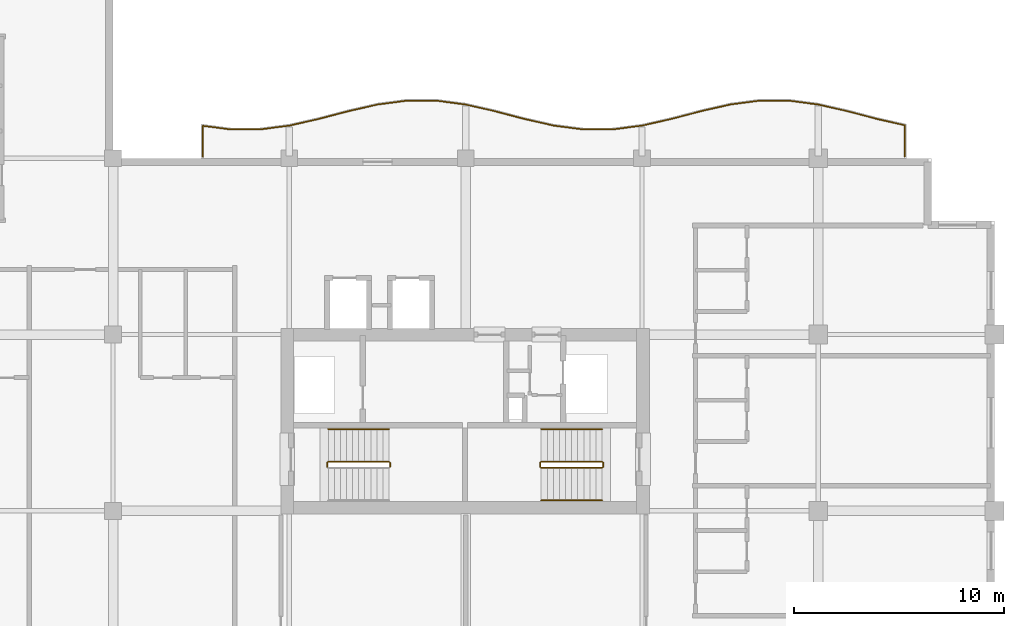
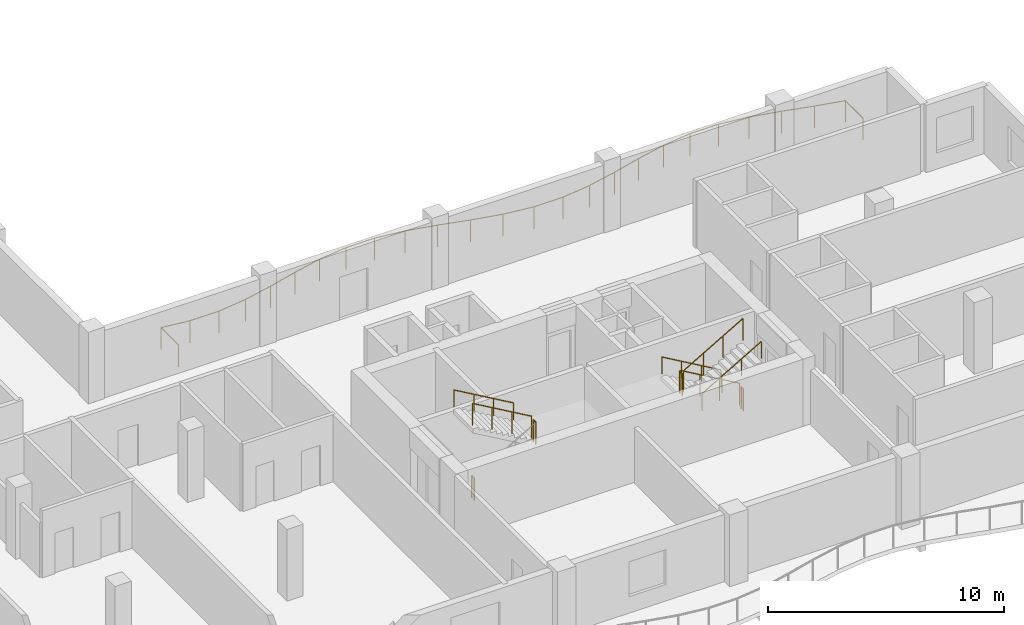
# One storey, part 11 of 12: 11 railings.
"""IFC4 building model written with IfcOpenShell, lengths in metres."""

from ifc_helpers import new_model, si_unit, direction, frame, origin, origin_2d, place, context, subcontext, project, spatial, circle, extrude, material, type_object, element, save


model = new_model("IFC4")

# Units and contexts
model_context = context("Model", 3, precision=1e-05, world=origin(), true_north=direction((0.0, 1.0)))
body_context = subcontext(model_context, "Body", "Model", "MODEL_VIEW")
ifc_project = project(units=[si_unit("LENGTHUNIT", "METRE"), si_unit("AREAUNIT", "SQUARE_METRE"), si_unit("VOLUMEUNIT", "CUBIC_METRE"), si_unit("PLANEANGLEUNIT", "RADIAN"), si_unit("MASSUNIT", "GRAM", prefix="KILO")], contexts=[model_context])

# Site, building, storey
site_placement = place(None, origin())
site = spatial("IfcSite", under=ifc_project, at=site_placement, CompositionType="ELEMENT")
building_placement = place(site_placement, origin())
building = spatial("IfcBuilding", under=site, at=building_placement, Name="Koriwani Terraces Tower", CompositionType="ELEMENT")
storey_placement = place(building_placement, frame((0.0, 0.0, 241.60009765625)))
storey = spatial("IfcBuildingStorey", under=building, at=storey_placement, Name="L59", CompositionType="ELEMENT", Elevation=241.60009765625)

# Railings
ifc_material = material(Name="Steel ASTM A572 Grade 50", Category="steel")
railing_type_1 = type_object("IfcRailingType", Name="GUARD_BALUSTRADE_1150", PredefinedType="BALUSTRADE", material=ifc_material)
railing_1_placement = place(storey_placement, frame((71.320068359375, 33.679931640625, 0.0)))
element("IfcRailing", 1, at=railing_1_placement, inside=storey, type_object=railing_type_1, Name="L59 Balcony Perimeter Safety Balustrade (NE)", PredefinedType="BALUSTRADE", context=body_context, shape_type="SweptSolid", body=[
    extrude(circle(Radius=0.02392578125, at=origin_2d()), frame((0.0, 0.0, 1.1259765625), z_axis=(0.0, 1.0, 0.0), x_axis=(-1.0, 0.0, 0.0)), (0.0, 0.0, 1.0), 1.494140625),
    extrude(circle(Radius=0.02392578125, at=origin_2d()), frame((0.0, 1.494140625, 1.1259765625), z_axis=(-0.97511713615, 0.221690258665, 0.0), x_axis=(-0.221690258665, -0.97511713615, 0.0)), (0.0, 0.0, 1.0), 1.373291015625),
    extrude(circle(Radius=0.02392578125, at=origin_2d()), frame((-1.339111328125, 1.798583984375, 1.1259765625), z_axis=(-0.967196782226, 0.254028314271, 0.0), x_axis=(-0.254028314271, -0.967196782226, 0.0)), (0.0, 0.0, 1.0), 1.447265625),
    extrude(circle(Radius=0.02392578125, at=origin_2d()), frame((-2.739013671875, 2.166259765625, 1.1259765625), z_axis=(-0.975164692652, 0.221480974814, 0.0), x_axis=(-0.221480974814, -0.975164692652, 0.0)), (0.0, 0.0, 1.0), 1.430908203125),
    extrude(circle(Radius=0.02392578125, at=origin_2d()), frame((-4.13427734375, 2.483154296875, 1.1259765625), z_axis=(-0.991490391866, 0.130179886452, 0.0), x_axis=(-0.130179886452, -0.991490391866, 0.0)), (0.0, 0.0, 1.0), 1.40283203125),
    extrude(circle(Radius=0.02392578125, at=origin_2d()), frame((-5.525146484375, 2.665771484375, 1.1259765625), z_axis=(-1.0, 0.0, 0.0), x_axis=(0.0, -1.0, 0.0)), (0.0, 0.0, 1.0), 1.3896484375),
    extrude(circle(Radius=0.02392578125, at=origin_2d()), frame((-6.914794921875, 2.665771484375, 1.1259765625), z_axis=(-0.991493340479, -0.130157426935, 0.0), x_axis=(0.130157426935, -0.991493340479, 0.0)), (0.0, 0.0, 1.0), 1.403076171875),
    extrude(circle(Radius=0.02392578125, at=origin_2d()), frame((-8.305908203125, 2.483154296875, 1.1259765625), z_axis=(-0.975164692652, -0.221480974814, 0.0), x_axis=(0.221480974814, -0.975164692652, 0.0)), (0.0, 0.0, 1.0), 1.430908203125),
    extrude(circle(Radius=0.02392578125, at=origin_2d()), frame((-9.701171875, 2.166259765625, 1.1259765625), z_axis=(-0.967196782226, -0.254028314271, 0.0), x_axis=(0.254028314271, -0.967196782226, 0.0)), (0.0, 0.0, 1.0), 1.447265625),
    extrude(circle(Radius=0.02392578125, at=origin_2d()), frame((-11.10107421875, 1.798583984375, 1.1259765625), z_axis=(-0.975122866469, -0.221665052023, 0.0), x_axis=(0.221665052023, -0.975122866469, 0.0)), (0.0, 0.0, 1.0), 1.440673828125),
    extrude(circle(Radius=0.02392578125, at=origin_2d()), frame((-12.505859375, 1.479248046875, 1.1259765625), z_axis=(-0.991528403605, -0.12989004906, 0.0), x_axis=(0.12989004906, -0.991528403605, 0.0)), (0.0, 0.0, 1.0), 1.4208984375),
    extrude(circle(Radius=0.02392578125, at=origin_2d()), frame((-13.914794921875, 1.294677734375, 1.1259765625), z_axis=(-1.0, 0.0, 0.0), x_axis=(0.0, -1.0, 0.0)), (0.0, 0.0, 1.0), 1.410400390625),
    extrude(circle(Radius=0.02392578125, at=origin_2d()), frame((-15.3251953125, 1.294677734375, 1.1259765625), z_axis=(-0.991528403605, 0.12989004906, 0.0), x_axis=(-0.12989004906, -0.991528403605, 0.0)), (0.0, 0.0, 1.0), 1.4208984375),
    extrude(circle(Radius=0.02392578125, at=origin_2d()), frame((-16.734130859375, 1.479248046875, 1.1259765625), z_axis=(-0.975131191317, 0.221628427149, 0.0), x_axis=(-0.221628427149, -0.975131191317, 0.0)), (0.0, 0.0, 1.0), 1.44091796875),
    extrude(circle(Radius=0.02392578125, at=origin_2d()), frame((-18.13916015625, 1.798583984375, 1.1259765625), z_axis=(-0.967196782226, 0.254028314271, 0.0), x_axis=(-0.254028314271, -0.967196782226, 0.0)), (0.0, 0.0, 1.0), 1.447265625),
    extrude(circle(Radius=0.02392578125, at=origin_2d()), frame((-19.5390625, 2.166259765625, 1.1259765625), z_axis=(-0.975156320387, 0.221517834068, 0.0), x_axis=(-0.221517834068, -0.975156320387, 0.0)), (0.0, 0.0, 1.0), 1.4306640625),
    extrude(circle(Radius=0.02392578125, at=origin_2d()), frame((-20.93408203125, 2.483154296875, 1.1259765625), z_axis=(-0.991493340479, 0.130157426935, 0.0), x_axis=(-0.130157426935, -0.991493340479, 0.0)), (0.0, 0.0, 1.0), 1.403076171875),
    extrude(circle(Radius=0.02392578125, at=origin_2d()), frame((-22.3251953125, 2.665771484375, 1.1259765625), z_axis=(-1.0, 0.0, 0.0), x_axis=(0.0, -1.0, 0.0)), (0.0, 0.0, 1.0), 1.3896484375),
    extrude(circle(Radius=0.02392578125, at=origin_2d()), frame((-23.71484375, 2.665771484375, 1.1259765625), z_axis=(-0.991493340479, -0.130157426935, 0.0), x_axis=(0.130157426935, -0.991493340479, 0.0)), (0.0, 0.0, 1.0), 1.403076171875),
    extrude(circle(Radius=0.02392578125, at=origin_2d()), frame((-25.10595703125, 2.483154296875, 1.1259765625), z_axis=(-0.975156320387, -0.221517834068, 0.0), x_axis=(0.221517834068, -0.975156320387, 0.0)), (0.0, 0.0, 1.0), 1.4306640625),
    extrude(circle(Radius=0.02392578125, at=origin_2d()), frame((-26.5009765625, 2.166259765625, 1.1259765625), z_axis=(-0.967207664387, -0.253986877518, 0.0), x_axis=(0.253986877518, -0.967207664387, 0.0)), (0.0, 0.0, 1.0), 1.447509765625),
    extrude(circle(Radius=0.02392578125, at=origin_2d()), frame((-27.901123046875, 1.798583984375, 1.1259765625), z_axis=(-0.975122866469, -0.221665052023, 0.0), x_axis=(0.221665052023, -0.975122866469, 0.0)), (0.0, 0.0, 1.0), 1.440673828125),
    extrude(circle(Radius=0.02392578125, at=origin_2d()), frame((-29.305908203125, 1.479248046875, 1.1259765625), z_axis=(-0.991528403605, -0.12989004906, 0.0), x_axis=(0.12989004906, -0.991528403605, 0.0)), (0.0, 0.0, 1.0), 1.4208984375),
    extrude(circle(Radius=0.02392578125, at=origin_2d()), frame((-30.71484375, 1.294677734375, 1.1259765625), z_axis=(-1.0, 0.0, 0.0), x_axis=(0.0, -1.0, 0.0)), (0.0, 0.0, 1.0), 1.410400390625),
    extrude(circle(Radius=0.02392578125, at=origin_2d()), frame((-32.125244140625, 1.294677734375, 1.1259765625), z_axis=(-0.991541795882, 0.129787776847, 0.0), x_axis=(-0.129787776847, -0.991541795882, 0.0)), (0.0, 0.0, 1.0), 1.326171875),
    extrude(circle(Radius=0.02392578125, at=origin_2d()), frame((-33.440185546875, 1.466796875, 1.1259765625), z_axis=(0.0, -1.0, 0.0), x_axis=(1.0, 0.0, 0.0)), (0.0, 0.0, 1.0), 1.466796875),
    extrude(circle(Radius=0.02099609375, at=origin_2d()), origin(), (0.0, 0.0, 1.0), 1.101806640625),
    extrude(circle(Radius=0.02099609375, at=origin_2d()), frame((0.0, 1.494140625, 0.0)), (0.0, 0.0, 1.0), 1.101806640625),
    extrude(circle(Radius=0.02099609375, at=origin_2d()), frame((-1.339111328125, 1.798583984375, 0.0)), (0.0, 0.0, 1.0), 1.101806640625),
    extrude(circle(Radius=0.02099609375, at=origin_2d()), frame((-2.739013671875, 2.166259765625, 0.0)), (0.0, 0.0, 1.0), 1.101806640625),
    extrude(circle(Radius=0.02099609375, at=origin_2d()), frame((-4.13427734375, 2.483154296875, 0.0)), (0.0, 0.0, 1.0), 1.101806640625),
    extrude(circle(Radius=0.02099609375, at=origin_2d()), frame((-5.525146484375, 2.665771484375, 0.0)), (0.0, 0.0, 1.0), 1.101806640625),
    extrude(circle(Radius=0.02099609375, at=origin_2d()), frame((-6.914794921875, 2.665771484375, 0.0)), (0.0, 0.0, 1.0), 1.101806640625),
    extrude(circle(Radius=0.02099609375, at=origin_2d()), frame((-8.305908203125, 2.483154296875, 0.0)), (0.0, 0.0, 1.0), 1.101806640625),
    extrude(circle(Radius=0.02099609375, at=origin_2d()), frame((-9.701171875, 2.166259765625, 0.0)), (0.0, 0.0, 1.0), 1.101806640625),
    extrude(circle(Radius=0.02099609375, at=origin_2d()), frame((-11.10107421875, 1.798583984375, 0.0)), (0.0, 0.0, 1.0), 1.101806640625),
    extrude(circle(Radius=0.02099609375, at=origin_2d()), frame((-12.505859375, 1.479248046875, 0.0)), (0.0, 0.0, 1.0), 1.101806640625),
    extrude(circle(Radius=0.02099609375, at=origin_2d()), frame((-13.914794921875, 1.294677734375, 0.0)), (0.0, 0.0, 1.0), 1.101806640625),
    extrude(circle(Radius=0.02099609375, at=origin_2d()), frame((-15.3251953125, 1.294677734375, 0.0)), (0.0, 0.0, 1.0), 1.101806640625),
    extrude(circle(Radius=0.02099609375, at=origin_2d()), frame((-16.734130859375, 1.479248046875, 0.0)), (0.0, 0.0, 1.0), 1.101806640625),
    extrude(circle(Radius=0.02099609375, at=origin_2d()), frame((-18.13916015625, 1.798583984375, 0.0)), (0.0, 0.0, 1.0), 1.101806640625),
    extrude(circle(Radius=0.02099609375, at=origin_2d()), frame((-19.5390625, 2.166259765625, 0.0)), (0.0, 0.0, 1.0), 1.101806640625),
    extrude(circle(Radius=0.02099609375, at=origin_2d()), frame((-20.93408203125, 2.483154296875, 0.0)), (0.0, 0.0, 1.0), 1.101806640625),
    extrude(circle(Radius=0.02099609375, at=origin_2d()), frame((-22.3251953125, 2.665771484375, 0.0)), (0.0, 0.0, 1.0), 1.101806640625),
    extrude(circle(Radius=0.02099609375, at=origin_2d()), frame((-23.71484375, 2.665771484375, 0.0)), (0.0, 0.0, 1.0), 1.101806640625),
    extrude(circle(Radius=0.02099609375, at=origin_2d()), frame((-25.10595703125, 2.483154296875, 0.0)), (0.0, 0.0, 1.0), 1.101806640625),
    extrude(circle(Radius=0.02099609375, at=origin_2d()), frame((-26.5009765625, 2.166259765625, 0.0)), (0.0, 0.0, 1.0), 1.101806640625),
    extrude(circle(Radius=0.02099609375, at=origin_2d()), frame((-27.901123046875, 1.798583984375, 0.0)), (0.0, 0.0, 1.0), 1.101806640625),
    extrude(circle(Radius=0.02099609375, at=origin_2d()), frame((-29.305908203125, 1.479248046875, 0.0)), (0.0, 0.0, 1.0), 1.101806640625),
    extrude(circle(Radius=0.02099609375, at=origin_2d()), frame((-30.71484375, 1.294677734375, 0.0)), (0.0, 0.0, 1.0), 1.101806640625),
    extrude(circle(Radius=0.02099609375, at=origin_2d()), frame((-32.125244140625, 1.294677734375, 0.0)), (0.0, 0.0, 1.0), 1.101806640625),
    extrude(circle(Radius=0.02099609375, at=origin_2d()), frame((-33.440185546875, 1.466796875, 0.0)), (0.0, 0.0, 1.0), 1.101806640625),
    extrude(circle(Radius=0.02099609375, at=origin_2d()), frame((-33.440185546875, 0.0, 0.0)), (0.0, 0.0, 1.0), 1.101806640625),
])
railing_type_2 = type_object("IfcRailingType", Name="GUARD_STAIR_WELL_1120", PredefinedType="GUARDRAIL", material=ifc_material)
railing_2_placement = place(storey_placement, frame((46.800048828125, 18.89990234375, 1.849853515625)))
element("IfcRailing", 2, at=railing_2_placement, inside=storey, type_object=railing_type_2, Name="L59 ST-E1 stair guard 2", PredefinedType="GUARDRAIL", context=body_context, shape_type="SweptSolid", body=[
    extrude(circle(Radius=0.02392578125, at=origin_2d()), frame((0.0, 0.0, 1.1259765625), z_axis=(0.0, 1.0, 0.0), x_axis=(-1.0, 0.0, 0.0)), (0.0, 0.0, 1.0), 0.2001953125),
    extrude(circle(Radius=0.02099609375, at=origin_2d()), origin(), (0.0, 0.0, 1.0), 1.101806640625),
    extrude(circle(Radius=0.02099609375, at=origin_2d()), frame((0.0, 0.2001953125, 0.0)), (0.0, 0.0, 1.0), 1.101806640625),
])
railing_3_placement = place(storey_placement, frame((46.75, 19.14990234375, 2.01806640625)))
element("IfcRailing", 3, at=railing_3_placement, inside=storey, type_object=railing_type_2, Name="L59 ST-E1 stair guard 3", PredefinedType="GUARDRAIL", context=body_context, shape_type="SweptSolid", body=[
    extrude(circle(Radius=0.02392578125, at=origin_2d()), frame((0.0, 0.0, 1.1259765625), z_axis=(-0.865038774852, 0.0, 0.501705010941), x_axis=(0.0, -1.0, 0.0)), (0.0, 0.0, 1.0), 3.352294921875),
    extrude(circle(Radius=0.02099609375, at=origin_2d()), origin(), (0.0, 0.0, 1.0), 1.101806640625),
    extrude(circle(Radius=0.02099609375, at=origin_2d()), frame((-0.966552734375, 0.0, 0.560546875)), (0.0, 0.0, 1.0), 1.101806640625),
    extrude(circle(Radius=0.02099609375, at=origin_2d()), frame((-1.933349609375, 0.0, 1.121337890625)), (0.0, 0.0, 1.0), 1.101806640625),
    extrude(circle(Radius=0.02099609375, at=origin_2d()), frame((-2.89990234375, 0.0, 1.681884765625)), (0.0, 0.0, 1.0), 1.101806640625),
])
railing_4_placement = place(storey_placement, frame((43.800048828125, 18.89990234375, 0.0)))
element("IfcRailing", 4, at=railing_4_placement, inside=storey, type_object=railing_type_2, Name="L59 ST-E1 stair guard 4", PredefinedType="GUARDRAIL", context=body_context, shape_type="SweptSolid", body=[
    extrude(circle(Radius=0.02392578125, at=origin_2d()), frame((0.0, 0.0, 1.1259765625), z_axis=(0.0, 1.0, 0.0), x_axis=(-1.0, 0.0, 0.0)), (0.0, 0.0, 1.0), 0.2001953125),
    extrude(circle(Radius=0.02099609375, at=origin_2d()), origin(), (0.0, 0.0, 1.0), 1.101806640625),
    extrude(circle(Radius=0.02099609375, at=origin_2d()), frame((0.0, 0.2001953125, 0.0)), (0.0, 0.0, 1.0), 1.101806640625),
])
railing_5_placement = place(storey_placement, frame((56.89990234375, 19.14990234375, 0.16796875)))
element("IfcRailing", 5, at=railing_5_placement, inside=storey, type_object=railing_type_2, Name="L59 ST-E2 stair guard 1", PredefinedType="GUARDRAIL", context=body_context, shape_type="SweptSolid", body=[
    extrude(circle(Radius=0.02392578125, at=origin_2d()), frame((0.0, 0.0, 1.1259765625), z_axis=(-0.865038774852, 0.0, 0.501705010941), x_axis=(0.0, -1.0, 0.0)), (0.0, 0.0, 1.0), 3.352294921875),
    extrude(circle(Radius=0.02099609375, at=origin_2d()), origin(), (0.0, 0.0, 1.0), 1.101806640625),
    extrude(circle(Radius=0.02099609375, at=origin_2d()), frame((-0.966552734375, 0.0, 0.560546875)), (0.0, 0.0, 1.0), 1.101806640625),
    extrude(circle(Radius=0.02099609375, at=origin_2d()), frame((-1.933349609375, 0.0, 1.121337890625)), (0.0, 0.0, 1.0), 1.101806640625),
    extrude(circle(Radius=0.02099609375, at=origin_2d()), frame((-2.89990234375, 0.0, 1.681884765625)), (0.0, 0.0, 1.0), 1.101806640625),
])
railing_6_placement = place(storey_placement, frame((53.949951171875, 19.10009765625, 1.849853515625)))
element("IfcRailing", 6, at=railing_6_placement, inside=storey, type_object=railing_type_2, Name="L59 ST-E2 stair guard 2", PredefinedType="GUARDRAIL", context=body_context, shape_type="SweptSolid", body=[
    extrude(circle(Radius=0.02392578125, at=origin_2d()), frame((0.0, 0.0, 1.1259765625), z_axis=(0.0, -1.0, 0.0), x_axis=(1.0, 0.0, 0.0)), (0.0, 0.0, 1.0), 0.2001953125),
    extrude(circle(Radius=0.02099609375, at=origin_2d()), origin(), (0.0, 0.0, 1.0), 1.101806640625),
    extrude(circle(Radius=0.02099609375, at=origin_2d()), frame((0.0, -0.2001953125, 0.0)), (0.0, 0.0, 1.0), 1.101806640625),
])
railing_7_placement = place(storey_placement, frame((54.0, 18.85009765625, 2.01806640625)))
element("IfcRailing", 7, at=railing_7_placement, inside=storey, type_object=railing_type_2, Name="L59 ST-E2 stair guard 3", PredefinedType="GUARDRAIL", context=body_context, shape_type="SweptSolid", body=[
    extrude(circle(Radius=0.02392578125, at=origin_2d()), frame((0.0, 0.0, 1.1259765625), z_axis=(0.865038774852, 0.0, 0.501705010941), x_axis=(0.0, 1.0, 0.0)), (0.0, 0.0, 1.0), 3.352294921875),
    extrude(circle(Radius=0.02099609375, at=origin_2d()), origin(), (0.0, 0.0, 1.0), 1.101806640625),
    extrude(circle(Radius=0.02099609375, at=origin_2d()), frame((0.966552734375, 0.0, 0.560546875)), (0.0, 0.0, 1.0), 1.101806640625),
    extrude(circle(Radius=0.02099609375, at=origin_2d()), frame((1.933349609375, 0.0, 1.121337890625)), (0.0, 0.0, 1.0), 1.101806640625),
    extrude(circle(Radius=0.02099609375, at=origin_2d()), frame((2.89990234375, 0.0, 1.681884765625)), (0.0, 0.0, 1.0), 1.101806640625),
])
railing_8_placement = place(storey_placement, frame((56.949951171875, 19.10009765625, 0.0)))
element("IfcRailing", 8, at=railing_8_placement, inside=storey, type_object=railing_type_2, Name="L59 ST-E2 stair guard 4", PredefinedType="GUARDRAIL", context=body_context, shape_type="SweptSolid", body=[
    extrude(circle(Radius=0.02392578125, at=origin_2d()), frame((0.0, 0.0, 1.1259765625), z_axis=(0.0, -1.0, 0.0), x_axis=(1.0, 0.0, 0.0)), (0.0, 0.0, 1.0), 0.2001953125),
    extrude(circle(Radius=0.02099609375, at=origin_2d()), origin(), (0.0, 0.0, 1.0), 1.101806640625),
    extrude(circle(Radius=0.02099609375, at=origin_2d()), frame((0.0, -0.2001953125, 0.0)), (0.0, 0.0, 1.0), 1.101806640625),
])
railing_type_3 = type_object("IfcRailingType", Name="HANDRAIL_STAIR_920", PredefinedType="HANDRAIL", material=ifc_material)
for number, where, name in (
    (9, (46.75, 20.699951171875, 2.01806640625), "L59 ST-E1 stair handrail 2"),
    (10, (56.89990234375, 20.699951171875, 0.16796875), "L59 ST-E2 stair handrail 1"),
):
    element("IfcRailing", number, at=place(storey_placement, frame(where)), inside=storey, type_object=railing_type_3, Name=name, PredefinedType="HANDRAIL", context=body_context, shape_type="SweptSolid", body=[
        extrude(circle(Radius=0.02392578125, at=origin_2d()), frame((0.0, 0.0, 0.8759765625), z_axis=(-0.865038774852, 0.0, 0.501705010941), x_axis=(0.0, -1.0, 0.0)), (0.0, 0.0, 1.0), 3.352294921875),
        extrude(circle(Radius=0.02099609375, at=origin_2d()), origin(), (0.0, 0.0, 1.0), 0.851806640625),
        extrude(circle(Radius=0.02099609375, at=origin_2d()), frame((-0.966552734375, 0.0, 0.560546875)), (0.0, 0.0, 1.0), 0.851806640625),
        extrude(circle(Radius=0.02099609375, at=origin_2d()), frame((-1.933349609375, 0.0, 1.121337890625)), (0.0, 0.0, 1.0), 0.851806640625),
        extrude(circle(Radius=0.02099609375, at=origin_2d()), frame((-2.89990234375, 0.0, 1.681884765625)), (0.0, 0.0, 1.0), 0.851806640625),
    ])
railing_9_placement = place(storey_placement, frame((54.0, 17.300048828125, 2.01806640625)))
element("IfcRailing", 11, at=railing_9_placement, inside=storey, type_object=railing_type_3, Name="L59 ST-E2 stair handrail 2", PredefinedType="HANDRAIL", context=body_context, shape_type="SweptSolid", body=[
    extrude(circle(Radius=0.02392578125, at=origin_2d()), frame((0.0, 0.0, 0.8759765625), z_axis=(0.865038774852, 0.0, 0.501705010941), x_axis=(0.0, 1.0, 0.0)), (0.0, 0.0, 1.0), 3.352294921875),
    extrude(circle(Radius=0.02099609375, at=origin_2d()), origin(), (0.0, 0.0, 1.0), 0.851806640625),
    extrude(circle(Radius=0.02099609375, at=origin_2d()), frame((0.966552734375, 0.0, 0.560546875)), (0.0, 0.0, 1.0), 0.851806640625),
    extrude(circle(Radius=0.02099609375, at=origin_2d()), frame((1.933349609375, 0.0, 1.121337890625)), (0.0, 0.0, 1.0), 0.851806640625),
    extrude(circle(Radius=0.02099609375, at=origin_2d()), frame((2.89990234375, 0.0, 1.681884765625)), (0.0, 0.0, 1.0), 0.851806640625),
])

save(model, "model.ifc")
